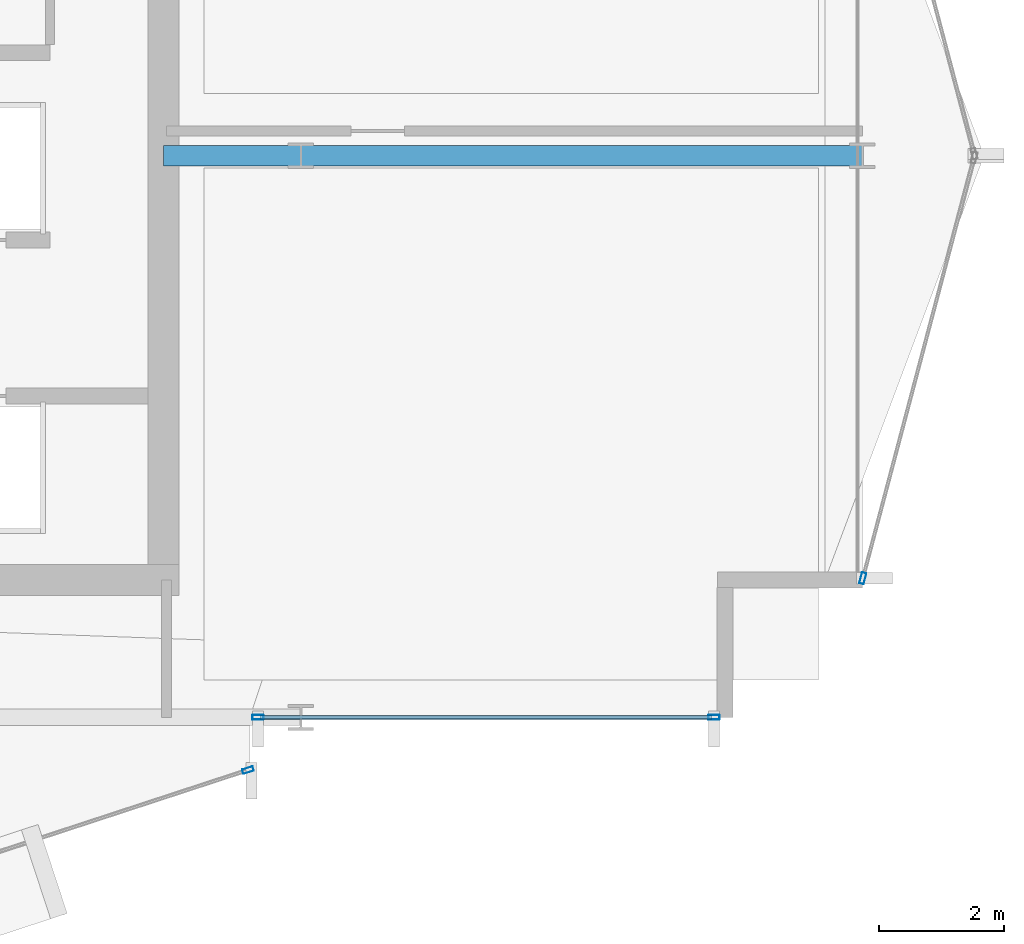
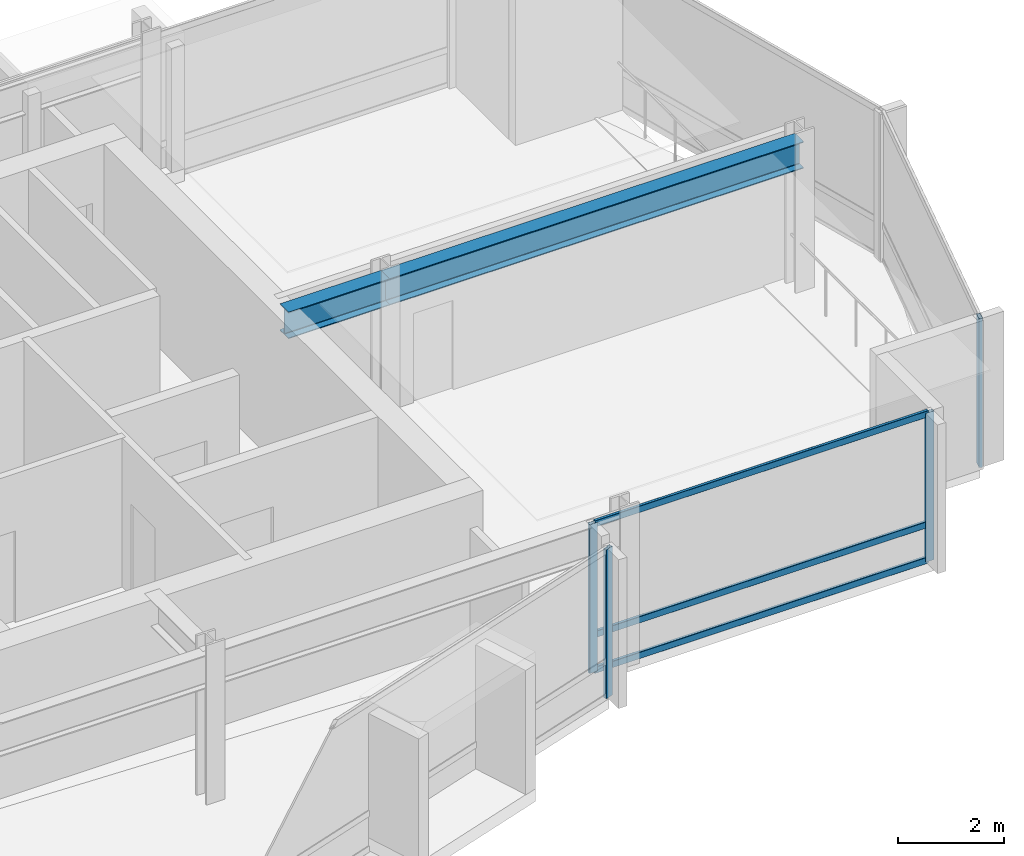
# One storey, part 10 of 27: 7 members, 2 beams, 3 elements without a shape of their own.
"""IFC4 building model written with IfcOpenShell, lengths in metres."""

from ifc_helpers import new_model, si_unit, direction, frame, origin, origin_2d, place, context, subcontext, project, spatial, hollow_rectangle, i_section, extrude, material, layer, layer_set, material_profile, profile_set, type_object, element, aggregate, save


model = new_model("IFC4")

# Units and contexts
model_context = context("Model", 3, precision=1e-05, world=origin(), true_north=direction((0.0, 1.0)))
body_context = subcontext(model_context, "Body", "Model", "MODEL_VIEW")
ifc_project = project(units=[si_unit("LENGTHUNIT", "METRE"), si_unit("AREAUNIT", "SQUARE_METRE"), si_unit("VOLUMEUNIT", "CUBIC_METRE"), si_unit("PLANEANGLEUNIT", "RADIAN"), si_unit("MASSUNIT", "GRAM", prefix="KILO")], contexts=[model_context])

# Site, building, storey
site_placement = place(None, origin())
site = spatial("IfcSite", under=ifc_project, at=site_placement, CompositionType="ELEMENT")
building_placement = place(site_placement, origin())
building = spatial("IfcBuilding", under=site, at=building_placement, Name="Solvaryn Broadcast Tower", CompositionType="ELEMENT")
storey_placement = place(building_placement, frame((0.0, 0.0, 181.60009765625)))
storey = spatial("IfcBuildingStorey", under=building, at=storey_placement, Name="L45", CompositionType="ELEMENT", Elevation=181.60009765625)

# Beams
ifc_material_1 = material(Name="Steel ASTM A992 Grade 50", Category="steel")
ifc_material_profile_1 = material_profile(ifc_material_1, i_section(OverallWidth=0.323974609375, OverallDepth=0.611083984375, WebThickness=0.0126953125, FlangeThickness=0.01904296875, FilletRadius=0.014892578125, at=origin_2d()))
ifc_profile_set_1 = profile_set([ifc_material_profile_1], Name="Steel ASTM A992 Grade 50")
beam_type = type_object("IfcBeamType", Name="BM-B1-W24X104", PredefinedType="BEAM", material=ifc_profile_set_1)
beam_1_placement = place(storey_placement, frame((45.0, 18.0, 3.114501953125), z_axis=(1.0, 0.0, 0.0), x_axis=(0.0, 1.0, 0.0)))
element("IfcBeam", 1, at=beam_1_placement, inside=storey, type_object=beam_type, Name="L45 Primary Beam X (45-54 @ Y=18)", PredefinedType="BEAM", context=body_context, shape_type="SweptSolid", body=[
    extrude(i_section(OverallWidth=0.323974609375, OverallDepth=0.611083984375, WebThickness=0.0126953125, FlangeThickness=0.01904296875, FilletRadius=0.014892578125, at=origin_2d()), origin(), (0.0, 0.0, 1.0), 9.0),
])
beam_2_placement = place(storey_placement, frame((42.800048828125, 18.0, 3.114501953125), z_axis=(1.0, 0.0, 0.0), x_axis=(0.0, 1.0, 0.0)))
element("IfcBeam", 2, at=beam_2_placement, inside=storey, type_object=beam_type, Name="L45 Core Tie Beam CTE3", PredefinedType="BEAM", context=body_context, shape_type="SweptSolid", body=[
    extrude(i_section(OverallWidth=0.323974609375, OverallDepth=0.611083984375, WebThickness=0.0126953125, FlangeThickness=0.01904296875, FilletRadius=0.014892578125, at=origin_2d()), origin(), (0.0, 0.0, 1.0), 2.199951171875),
])

# Curtain wall, member
ifc_material_2 = material(Name="Aluminium and Terracotta Unitised Curtain Wall", Category="masonry")
ifc_layer = layer(ifc_material_2, 0.199951171875)
ifc_layer_set = layer_set([ifc_layer], Name="CW-SYS2-LOWMID")
curtain_wall_type = type_object("IfcCurtainWallType", Name="CW-SYS2-LOWMID", PredefinedType="NOTDEFINED", material=ifc_layer_set)
curtain_wall_1_placement = place(storey_placement, origin())
curtain_wall_1 = element("IfcCurtainWall", 3, at=curtain_wall_1_placement, inside=storey, type_object=curtain_wall_type, Name="L45 Curtain Wall DR4", PredefinedType="NOTDEFINED")
ifc_material_3 = material(Name="Anodised Aluminium 6063-T6", Category="aluminium")
ifc_material_profile_2 = material_profile(ifc_material_3, hollow_rectangle(XDim=0.074951171875, YDim=0.179931640625, WallThickness=0.00390625, InnerFilletRadius=0.00390625, OuterFilletRadius=0.008056640625, at=origin_2d()))
ifc_profile_set_2 = profile_set([ifc_material_profile_2], Name="Anodised Aluminium 6063-T6")
member_type_1 = type_object("IfcMemberType", Name="CW-MUL-180", PredefinedType="MULLION", material=ifc_profile_set_2)
member_1_placement = place(storey_placement, frame((44.153564453125, 8.153564453125, 0.0), z_axis=(0.0, 0.0, 1.0), x_axis=(-0.311558717623, 0.950226902099, 0.0)))
member_1 = element("IfcMember", 4, at=member_1_placement, type_object=member_type_1, Name="CWS2 mullion 2", PredefinedType="MULLION", context=body_context, shape_type="SweptSolid", body=[
    extrude(hollow_rectangle(XDim=0.074951171875, YDim=0.179931640625, WallThickness=0.00390625, InnerFilletRadius=0.00390625, OuterFilletRadius=0.008056640625, at=origin_2d()), origin(), (0.0, 0.0, 1.0), 3.419921875),
])
aggregate(curtain_wall_1, [member_1])

# Curtain wall, members
curtain_wall_2_placement = place(storey_placement, origin())
curtain_wall_2 = element("IfcCurtainWall", 5, at=curtain_wall_2_placement, inside=storey, type_object=curtain_wall_type, Name="L45 Curtain Wall S2", PredefinedType="NOTDEFINED")
member_2_placement = place(storey_placement, frame((44.31201171875, 9.0, 0.0), z_axis=(0.0, 0.0, 1.0), x_axis=(0.0, 1.0, 0.0)))
member_2 = element("IfcMember", 6, at=member_2_placement, type_object=member_type_1, Name="CWS2 mullion 1", PredefinedType="MULLION", context=body_context, shape_type="SweptSolid", body=[
    extrude(hollow_rectangle(XDim=0.074951171875, YDim=0.179931640625, WallThickness=0.00390625, InnerFilletRadius=0.00390625, OuterFilletRadius=0.008056640625, at=origin_2d()), origin(), (0.0, 0.0, 1.0), 3.419921875),
])
member_3_placement = place(storey_placement, frame((51.6201171875, 9.0, 0.0), z_axis=(0.0, 0.0, 1.0), x_axis=(0.0, 1.0, 0.0)))
member_3 = element("IfcMember", 7, at=member_3_placement, type_object=member_type_1, Name="CWS2 mullion 2", PredefinedType="MULLION", context=body_context, shape_type="SweptSolid", body=[
    extrude(hollow_rectangle(XDim=0.074951171875, YDim=0.179931640625, WallThickness=0.00390625, InnerFilletRadius=0.00390625, OuterFilletRadius=0.008056640625, at=origin_2d()), origin(), (0.0, 0.0, 1.0), 3.419921875),
])

# Curtain wall, member
curtain_wall_3_placement = place(storey_placement, origin())
curtain_wall_3 = element("IfcCurtainWall", 8, at=curtain_wall_3_placement, inside=storey, type_object=curtain_wall_type, Name="L45 Curtain Wall ET2", PredefinedType="NOTDEFINED")
member_4_placement = place(storey_placement, frame((54.007568359375, 11.22900390625, 0.0), z_axis=(0.0, 0.0, 1.0), x_axis=(0.966705227863, -0.25589256031, 0.0)))
member_4 = element("IfcMember", 9, at=member_4_placement, type_object=member_type_1, Name="CWS2 mullion 2", PredefinedType="MULLION", context=body_context, shape_type="SweptSolid", body=[
    extrude(hollow_rectangle(XDim=0.074951171875, YDim=0.179931640625, WallThickness=0.00390625, InnerFilletRadius=0.00390625, OuterFilletRadius=0.008056640625, at=origin_2d()), origin(), (0.0, 0.0, 1.0), 3.419921875),
])
aggregate(curtain_wall_3, [member_4])

# Member
ifc_material_4 = material(Name="Anodised Aluminium 6063-T6", Category="aluminium")
ifc_material_profile_3 = material_profile(ifc_material_4, hollow_rectangle(XDim=0.06494140625, YDim=0.14990234375, WallThickness=0.00390625, InnerFilletRadius=0.00390625, OuterFilletRadius=0.008056640625, at=origin_2d()))
ifc_profile_set_3 = profile_set([ifc_material_profile_3], Name="Anodised Aluminium 6063-T6")
member_type_2 = type_object("IfcMemberType", Name="CW-TRN-150", PredefinedType="USERDEFINED", material=ifc_profile_set_3)
member_5_placement = place(storey_placement, frame((44.342041015625, 9.0, 0.02978515625), z_axis=(1.0, 0.0, 0.0), x_axis=(0.0, 1.0, 0.0)))
member_5 = element("IfcMember", 10, at=member_5_placement, type_object=member_type_2, Name="CWS2 transom 1.1", ObjectType="TRANSOM", PredefinedType="USERDEFINED", context=body_context, shape_type="SweptSolid", body=[
    extrude(hollow_rectangle(XDim=0.06494140625, YDim=0.14990234375, WallThickness=0.00390625, InnerFilletRadius=0.00390625, OuterFilletRadius=0.008056640625, at=origin_2d()), origin(), (0.0, 0.0, 1.0), 7.248046875),
])

member_6_placement = place(storey_placement, frame((44.342041015625, 9.0, 0.849853515625), z_axis=(1.0, 0.0, 0.0), x_axis=(0.0, 1.0, 0.0)))
member_6 = element("IfcMember", 11, at=member_6_placement, type_object=member_type_2, Name="CWS2 transom 1.2", ObjectType="TRANSOM", PredefinedType="USERDEFINED", context=body_context, shape_type="SweptSolid", body=[
    extrude(hollow_rectangle(XDim=0.06494140625, YDim=0.14990234375, WallThickness=0.00390625, InnerFilletRadius=0.00390625, OuterFilletRadius=0.008056640625, at=origin_2d()), origin(), (0.0, 0.0, 1.0), 7.248046875),
])

member_7_placement = place(storey_placement, frame((44.342041015625, 9.0, 3.389892578125), z_axis=(1.0, 0.0, 0.0), x_axis=(0.0, 1.0, 0.0)))
member_7 = element("IfcMember", 12, at=member_7_placement, type_object=member_type_2, Name="CWS2 transom 1.3", ObjectType="TRANSOM", PredefinedType="USERDEFINED", context=body_context, shape_type="SweptSolid", body=[
    extrude(hollow_rectangle(XDim=0.06494140625, YDim=0.14990234375, WallThickness=0.00390625, InnerFilletRadius=0.00390625, OuterFilletRadius=0.008056640625, at=origin_2d()), origin(), (0.0, 0.0, 1.0), 7.248046875),
])

aggregate(curtain_wall_2, [member_2, member_3, member_5, member_6, member_7])

save(model, "model.ifc")
